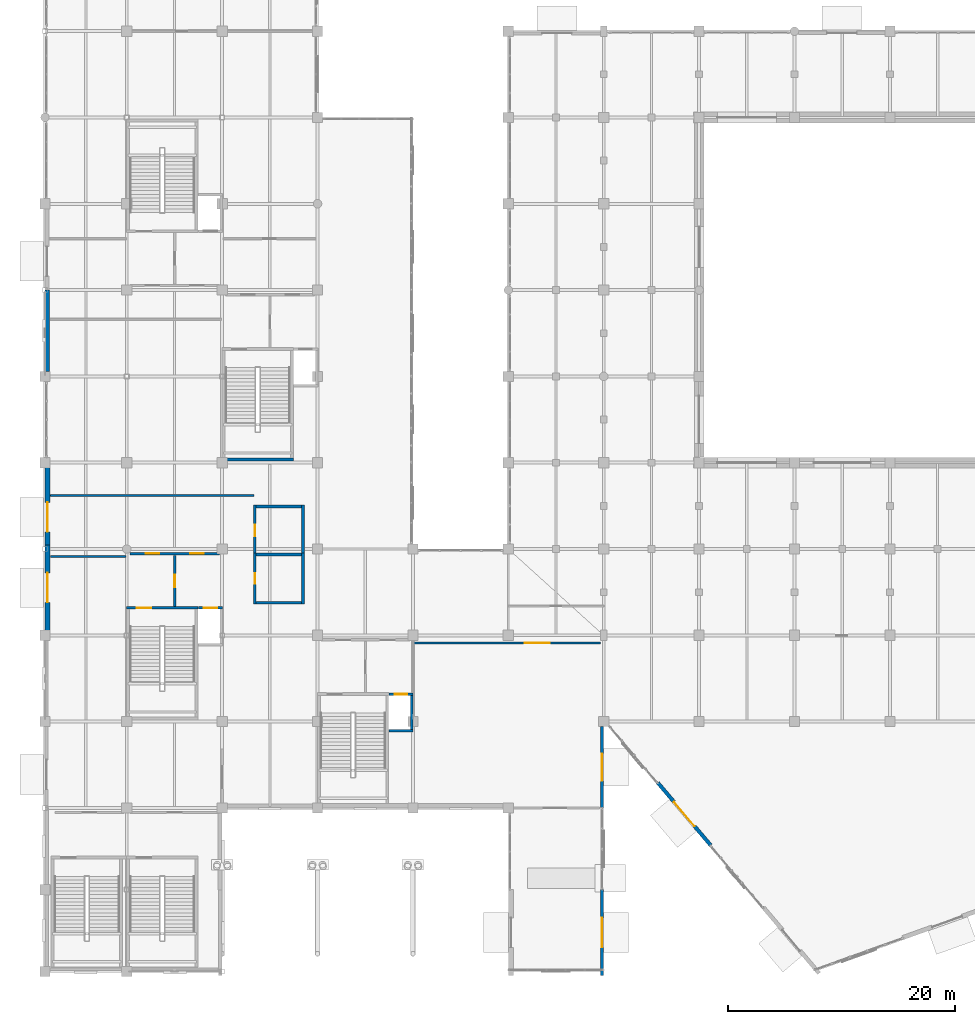
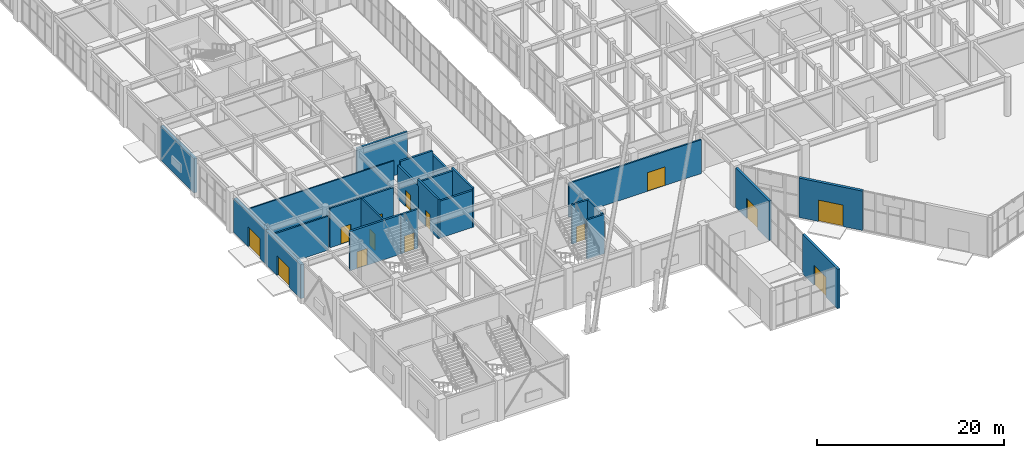
# One storey, part 119 of 139: 24 walls, 14 doors, 14 openings.
"""IFC4 building model written with IfcOpenShell, lengths in metres."""

from ifc_helpers import new_model, si_unit, direction, frame, frame_2d, origin, place, context, subcontext, project, spatial, rectangle, extrude, material, layer, layer_set, type_object, element, fill, save


model = new_model("IFC4")

# Units and contexts
model_context = context("Model", 3, precision=1e-05, world=origin(), true_north=direction((0.0, 1.0)))
body_context = subcontext(model_context, "Body", "Model", "MODEL_VIEW")
ifc_project = project(units=[si_unit("LENGTHUNIT", "METRE"), si_unit("AREAUNIT", "SQUARE_METRE"), si_unit("VOLUMEUNIT", "CUBIC_METRE"), si_unit("PLANEANGLEUNIT", "RADIAN"), si_unit("MASSUNIT", "GRAM", prefix="KILO")], contexts=[model_context])

# Site, building, storey
site_placement = place(None, origin())
site = spatial("IfcSite", under=ifc_project, at=site_placement, CompositionType="ELEMENT")
building_placement = place(site_placement, origin())
building = spatial("IfcBuilding", under=site, at=building_placement, Name="Xicomal Pleat Aquarium", CompositionType="ELEMENT")
storey_placement = place(building_placement, origin())
storey = spatial("IfcBuildingStorey", under=building, at=storey_placement, Name="L01", CompositionType="ELEMENT", Elevation=0.0)

# Wall, opening, door
ifc_material_1 = material(Name="Concrete C40/50", Category="concrete")
ifc_layer_1 = layer(ifc_material_1, 0.219970703125)
ifc_layer_set_1 = layer_set([ifc_layer_1], Name="Concrete C40/50")
wall_type_1 = type_object("IfcWallType", Name="WAL-COR-220", PredefinedType="SHEAR", material=ifc_layer_set_1)
wall_1_placement = place(storey_placement, frame((16.5, 32.81005859375, 0.0), z_axis=(0.0, 0.0, 1.0), x_axis=(1.0, 0.0, 0.0)))
wall_1 = element("IfcWall", 1, at=wall_1_placement, inside=storey, type_object=wall_type_1, Name="L01 LF-01 lift shaft wall CW-L01-C1-LN", PredefinedType="SHEAR", context=body_context, shape_type="SweptSolid", body=[
    extrude(rectangle(XDim=2.1201171875, YDim=0.219970703125, at=frame_2d((1.06005859375, 0.0))), origin(), (0.0, 0.0, 1.0), 5.139892578125),
])
opening_1_placement = place(wall_1_placement, frame((0.4599609375, 0.0, 0.0)))
opening_1 = element("IfcOpeningElement", 2, at=opening_1_placement, cuts=wall_1, Name="Opening LD-01-L01", PredefinedType="OPENING", context=body_context, shape_type="SweptSolid", body=[
    extrude(rectangle(XDim=1.199951171875, YDim=2.199951171875, at=frame_2d((0.60009765625, 1.10009765625))), frame((0.0, 0.119873046875, 0.0), z_axis=(0.0, -1.0, 0.0), x_axis=(1.0, 0.0, 0.0)), (0.0, 0.0, 1.0), 0.239990234375),
])
ifc_material_2 = material(Name="Brushed stainless steel 304", Category="steel")
door_type_1 = type_object("IfcDoorType", Name="DOR-LD-1200x2200", OperationType="DOUBLE_DOOR_SLIDING", PredefinedType="DOOR", material=ifc_material_2)
door_1_placement = place(opening_1_placement, origin())
door_1 = element("IfcDoor", 3, at=door_1_placement, inside=storey, type_object=door_type_1, Name="L01 LF-01 sliding lift landing door", OperationType="DOUBLE_DOOR_SLIDING", OverallHeight=2.199951171875, OverallWidth=1.199951171875, PredefinedType="DOOR", context=body_context, shape_type="SweptSolid", body=[
    extrude(rectangle(XDim=1.199951171875, YDim=2.199951171875, at=frame_2d((0.60009765625, 1.10009765625))), frame((0.0, 0.02490234375, 0.0), z_axis=(0.0, -1.0, 0.0), x_axis=(1.0, 0.0, 0.0)), (0.0, 0.0, 1.0), 0.050048828125),
])
fill(opening_1, door_1)

# Wall
wall_2_placement = place(storey_placement, frame((33.300048828125, 21.989990234375, 0.0), z_axis=(0.0, 0.0, 1.0), x_axis=(1.0, 0.0, 0.0)))
element("IfcWall", 4, at=wall_2_placement, inside=storey, type_object=wall_type_1, Name="L01 LF-02 lift shaft wall CW-L01-C2-LS", PredefinedType="SHEAR", context=body_context, shape_type="SweptSolid", body=[
    extrude(rectangle(XDim=2.119873046875, YDim=0.219970703125, at=frame_2d((1.06005859375, 0.0))), origin(), (0.0, 0.0, 1.0), 5.139892578125),
])

# Wall, opening, door
wall_3_placement = place(storey_placement, frame((33.300048828125, 25.2099609375, 0.0), z_axis=(0.0, 0.0, 1.0), x_axis=(1.0, 0.0, 0.0)))
wall_3 = element("IfcWall", 5, at=wall_3_placement, inside=storey, type_object=wall_type_1, Name="L01 LF-02 lift shaft wall CW-L01-C2-LN", PredefinedType="SHEAR", context=body_context, shape_type="SweptSolid", body=[
    extrude(rectangle(XDim=2.119873046875, YDim=0.219970703125, at=frame_2d((1.06005859375, 0.0))), origin(), (0.0, 0.0, 1.0), 5.139892578125),
])
opening_2_placement = place(wall_3_placement, frame((0.510009765625, 0.0, 0.0)))
opening_2 = element("IfcOpeningElement", 6, at=opening_2_placement, cuts=wall_3, Name="Opening LD-02-L01", PredefinedType="OPENING", context=body_context, shape_type="SweptSolid", body=[
    extrude(rectangle(XDim=1.10009765625, YDim=2.14990234375, at=frame_2d((0.550048828125, 1.074951171875))), frame((0.0, 0.119873046875, 0.0), z_axis=(0.0, -1.0, 0.0), x_axis=(1.0, 0.0, 0.0)), (0.0, 0.0, 1.0), 0.239990234375),
])
ifc_material_3 = material(Name="Brushed stainless steel 304", Category="steel")
door_type_2 = type_object("IfcDoorType", Name="DOR-LD-1100x2150", OperationType="DOUBLE_DOOR_SLIDING", PredefinedType="DOOR", material=ifc_material_3)
door_2_placement = place(opening_2_placement, origin())
door_2 = element("IfcDoor", 7, at=door_2_placement, inside=storey, type_object=door_type_2, Name="L01 LF-02 sliding lift landing door", OperationType="DOUBLE_DOOR_SLIDING", OverallHeight=2.14990234375, OverallWidth=1.10009765625, PredefinedType="DOOR", context=body_context, shape_type="SweptSolid", body=[
    extrude(rectangle(XDim=1.10009765625, YDim=2.14990234375, at=frame_2d((0.550048828125, 1.074951171875))), frame((0.0, 0.02490234375, 0.0), z_axis=(0.0, -1.0, 0.0), x_axis=(1.0, 0.0, 0.0)), (0.0, 0.0, 1.0), 0.050048828125),
])
fill(opening_2, door_2)

# Wall
wall_4_placement = place(storey_placement, frame((35.31005859375, 22.10009765625, 0.0), z_axis=(0.0, 0.0, 1.0), x_axis=(0.0, 1.0, 0.0)))
element("IfcWall", 8, at=wall_4_placement, inside=storey, type_object=wall_type_1, Name="L01 LF-02 lift shaft wall CW-L01-C2-LE", PredefinedType="SHEAR", context=body_context, shape_type="SweptSolid", body=[
    extrude(rectangle(XDim=3.0, YDim=0.219970703125, at=frame_2d((1.5, 0.0))), origin(), (0.0, 0.0, 1.0), 5.139892578125),
])

# Wall, opening, door
ifc_material_4 = material(Name="Concrete C40/50", Category="concrete")
ifc_layer_2 = layer(ifc_material_4, 0.25)
ifc_layer_set_2 = layer_set([ifc_layer_2], Name="Concrete C40/50")
wall_type_2 = type_object("IfcWallType", Name="WAL-COR-250", PredefinedType="SHEAR", material=ifc_layer_set_2)
wall_5_placement = place(storey_placement, frame((10.18994140625, 32.824951171875, 0.0), z_axis=(0.0, 0.0, 1.0), x_axis=(1.0, 0.0, 0.0)))
wall_5 = element("IfcWall", 9, at=wall_5_placement, inside=storey, type_object=wall_type_2, Name="L01 CORE-1 stair shear wall CW-L01-C1-SN", PredefinedType="SHEAR", context=body_context, shape_type="SweptSolid", body=[
    extrude(rectangle(XDim=6.280029296875, YDim=0.25, at=frame_2d((3.14013671875, 0.0))), origin(), (0.0, 0.0, 1.0), 5.139892578125),
])
opening_3_placement = place(wall_5_placement, frame((0.89990234375, 0.0, 0.0)))
opening_3 = element("IfcOpeningElement", 10, at=opening_3_placement, cuts=wall_5, Name="Opening SD-01-L01", PredefinedType="OPENING", context=body_context, shape_type="SweptSolid", body=[
    extrude(rectangle(XDim=1.25, YDim=2.199951171875, at=frame_2d((0.625, 1.10009765625))), frame((0.0, 0.135009765625, 0.0), z_axis=(0.0, -1.0, 0.0), x_axis=(1.0, 0.0, 0.0)), (0.0, 0.0, 1.0), 0.27001953125),
])
ifc_material_5 = material(Name="Powder-coated steel fire door", Category="steel")
door_type_3 = type_object("IfcDoorType", Name="DOR-ST-1250x2200", OperationType="NOTDEFINED", PredefinedType="DOOR", material=ifc_material_5)
door_3_placement = place(opening_3_placement, origin())
door_3 = element("IfcDoor", 11, at=door_3_placement, inside=storey, type_object=door_type_3, Name="L01 ST-01 protected stair door", OperationType="SINGLE_SWING_RIGHT", OverallHeight=2.199951171875, OverallWidth=1.25, PredefinedType="DOOR", context=body_context, shape_type="SweptSolid", body=[
    extrude(rectangle(XDim=1.25, YDim=2.199951171875, at=frame_2d((0.625, 1.10009765625))), frame((0.0, 0.02490234375, 0.0), z_axis=(0.0, -1.0, 0.0), x_axis=(1.0, 0.0, 0.0)), (0.0, 0.0, 1.0), 0.050048828125),
])
fill(opening_3, door_3)

# Walls
wall_6_placement = place(storey_placement, frame((18.590087890625, 45.875, 0.0), z_axis=(0.0, 0.0, 1.0), x_axis=(1.0, 0.0, 0.0)))
element("IfcWall", 12, at=wall_6_placement, inside=storey, type_object=wall_type_2, Name="L01 CORE-4 stair shear wall CW-L01-C4-SS", PredefinedType="SHEAR", context=body_context, shape_type="SweptSolid", body=[
    extrude(rectangle(XDim=6.280029296875, YDim=0.25, at=frame_2d((3.14013671875, 0.0))), origin(), (0.0, 0.0, 1.0), 5.159912109375),
])
ifc_material_6 = material(Name="Volcanic basalt recinto masonry and concrete C40/50", Category="masonry")
ifc_layer_3 = layer(ifc_material_6, 0.3798828125)
ifc_layer_set_3 = layer_set([ifc_layer_3], Name="Volcanic basalt recinto masonry and concrete C40/50")
wall_type_3 = type_object("IfcWallType", Name="WAL-EXT-BAS-380", PredefinedType="SOLIDWALL", material=ifc_layer_set_3)
wall_7_placement = place(storey_placement, frame((3.18994140625, 53.635009765625, 0.0), z_axis=(0.0, 0.0, 1.0), x_axis=(0.0, 1.0, 0.0)))
element("IfcWall", 13, at=wall_7_placement, inside=storey, type_object=wall_type_3, Name="L01 exterior basalt-precast wall EW-L01-028", PredefinedType="SOLIDWALL", context=body_context, shape_type="SweptSolid", body=[
    extrude(rectangle(XDim=7.18505859375, YDim=0.3798828125, at=frame_2d((3.592529296875, 0.0))), origin(), (0.0, 0.0, 1.0), 4.4619140625),
])

# Wall, opening, door
ifc_material_7 = material(Name="Volcanic basalt recinto masonry and concrete C40/50", Category="masonry")
ifc_layer_4 = layer(ifc_material_7, 0.419921875)
ifc_layer_set_4 = layer_set([ifc_layer_4], Name="Volcanic basalt recinto masonry and concrete C40/50")
wall_type_4 = type_object("IfcWallType", Name="WAL-EXT-BAS-420", PredefinedType="SOLIDWALL", material=ifc_layer_set_4)
wall_8_placement = place(storey_placement, frame((3.2099609375, 38.360107421875, 0.0), z_axis=(0.0, 0.0, 1.0), x_axis=(0.0, 1.0, 0.0)))
wall_8 = element("IfcWall", 14, at=wall_8_placement, inside=storey, type_object=wall_type_4, Name="L01 exterior basalt-precast wall EW-L01-026", PredefinedType="SOLIDWALL", context=body_context, shape_type="SweptSolid", body=[
    extrude(rectangle(XDim=6.804931640625, YDim=0.419921875, at=frame_2d((3.40234375, 0.0))), origin(), (0.0, 0.0, 1.0), 4.4619140625),
])
opening_4_placement = place(wall_8_placement, frame((1.14501953125, 0.0, 0.0)))
opening_4 = element("IfcOpeningElement", 15, at=opening_4_placement, cuts=wall_8, Name="Opening EX-03", PredefinedType="OPENING", context=body_context, shape_type="SweptSolid", body=[
    extrude(rectangle(XDim=2.60009765625, YDim=2.60009765625, at=frame_2d((1.300048828125, 1.300048828125))), frame((0.0, 0.219970703125, 0.0), z_axis=(0.0, -1.0, 0.0), x_axis=(1.0, 0.0, 0.0)), (0.0, 0.0, 1.0), 0.43994140625),
])
ifc_material_8 = material(Name="Bronze anodized aluminium and laminated safety glass", Category="aluminium")
door_type_4 = type_object("IfcDoorType", Name="DOR-EX-2600x2600", OperationType="DOUBLE_DOOR_SINGLE_SWING", PredefinedType="DOOR", material=ifc_material_8)
door_4_placement = place(opening_4_placement, origin())
door_4 = element("IfcDoor", 16, at=door_4_placement, inside=storey, type_object=door_type_4, Name="Ground floor pedestrian final exit door EX-03", OperationType="DOUBLE_DOOR_SINGLE_SWING", OverallHeight=2.60009765625, OverallWidth=2.60009765625, PredefinedType="DOOR", context=body_context, shape_type="SweptSolid", body=[
    extrude(rectangle(XDim=2.60009765625, YDim=2.60009765625, at=frame_2d((1.300048828125, 1.300048828125))), frame((0.0, 0.02490234375, 0.0), z_axis=(0.0, -1.0, 0.0), x_axis=(1.0, 0.0, 0.0)), (0.0, 0.0, 1.0), 0.050048828125),
])
fill(opening_4, door_4)

ifc_material_9 = material(Name="Volcanic basalt recinto masonry and concrete C40/50", Category="masonry")
ifc_layer_5 = layer(ifc_material_9, 0.445068359375)
ifc_layer_set_5 = layer_set([ifc_layer_5], Name="Volcanic basalt recinto masonry and concrete C40/50")
wall_type_5 = type_object("IfcWallType", Name="WAL-EXT-BAS-445", PredefinedType="SOLIDWALL", material=ifc_layer_set_5)
wall_9_placement = place(storey_placement, frame((3.222900390625, 30.8349609375, 0.0), z_axis=(0.0, 0.0, 1.0), x_axis=(0.0, 1.0, 0.0)))
wall_9 = element("IfcWall", 17, at=wall_9_placement, inside=storey, type_object=wall_type_5, Name="L01 exterior basalt-precast wall EW-L01-025", PredefinedType="SOLIDWALL", context=body_context, shape_type="SweptSolid", body=[
    extrude(rectangle(XDim=7.525146484375, YDim=0.445068359375, at=frame_2d((3.7626953125, 0.0))), origin(), (0.0, 0.0, 1.0), 4.44189453125),
])
opening_5_placement = place(wall_9_placement, frame((2.4619140625, 0.0, 0.0)))
opening_5 = element("IfcOpeningElement", 18, at=opening_5_placement, cuts=wall_9, Name="Opening EX-11", PredefinedType="OPENING", context=body_context, shape_type="SweptSolid", body=[
    extrude(rectangle(XDim=2.60009765625, YDim=2.60009765625, at=frame_2d((1.300048828125, 1.300048828125))), frame((0.0, 0.232421875, 0.0), z_axis=(0.0, -1.0, 0.0), x_axis=(1.0, 0.0, 0.0)), (0.0, 0.0, 1.0), 0.465087890625),
])
door_5_placement = place(opening_5_placement, origin())
door_5 = element("IfcDoor", 19, at=door_5_placement, inside=storey, type_object=door_type_4, Name="Ground floor pedestrian final exit door EX-11", OperationType="DOUBLE_DOOR_SINGLE_SWING", OverallHeight=2.60009765625, OverallWidth=2.60009765625, PredefinedType="DOOR", context=body_context, shape_type="SweptSolid", body=[
    extrude(rectangle(XDim=2.60009765625, YDim=2.60009765625, at=frame_2d((1.300048828125, 1.300048828125))), frame((0.0, 0.02490234375, 0.0), z_axis=(0.0, -1.0, 0.0), x_axis=(1.0, 0.0, 0.0)), (0.0, 0.0, 1.0), 0.050048828125),
])
fill(opening_5, door_5)

ifc_material_10 = material(Name="Precast concrete C40/50", Category="concrete")
ifc_layer_6 = layer(ifc_material_10, 0.280029296875)
ifc_layer_set_6 = layer_set([ifc_layer_6], Name="Precast concrete C40/50")
wall_type_6 = type_object("IfcWallType", Name="WAL-EXT-PRC-280", PredefinedType="SOLIDWALL", material=ifc_layer_set_6)
wall_10_placement = place(storey_placement, frame((52.06005859375, 8.02001953125, 0.0), z_axis=(0.0, 0.0, 1.0), x_axis=(0.0, -1.0, 0.0)))
wall_10 = element("IfcWall", 20, at=wall_10_placement, inside=storey, type_object=wall_type_6, Name="L01 exterior basalt-precast wall EW-L01-010", PredefinedType="SOLIDWALL", context=body_context, shape_type="SweptSolid", body=[
    extrude(rectangle(XDim=7.580078125, YDim=0.280029296875, at=frame_2d((3.7900390625, 0.0))), origin(), (0.0, 0.0, 1.0), 5.159912109375),
])
opening_6_placement = place(wall_10_placement, frame((2.489990234375, 0.0, 0.0)))
opening_6 = element("IfcOpeningElement", 21, at=opening_6_placement, cuts=wall_10, Name="Opening EX-21", PredefinedType="OPENING", context=body_context, shape_type="SweptSolid", body=[
    extrude(rectangle(XDim=2.60009765625, YDim=2.60009765625, at=frame_2d((1.300048828125, 1.300048828125))), frame((0.0, 0.14990234375, 0.0), z_axis=(0.0, -1.0, 0.0), x_axis=(1.0, 0.0, 0.0)), (0.0, 0.0, 1.0), 0.300048828125),
])
door_6_placement = place(opening_6_placement, origin())
door_6 = element("IfcDoor", 22, at=door_6_placement, inside=storey, type_object=door_type_4, Name="Ground floor pedestrian final exit door EX-21", OperationType="DOUBLE_DOOR_SINGLE_SWING", OverallHeight=2.60009765625, OverallWidth=2.60009765625, PredefinedType="DOOR", context=body_context, shape_type="SweptSolid", body=[
    extrude(rectangle(XDim=2.60009765625, YDim=2.60009765625, at=frame_2d((1.300048828125, 1.300048828125))), frame((0.0, 0.02490234375, 0.0), z_axis=(0.0, -1.0, 0.0), x_axis=(1.0, 0.0, 0.0)), (0.0, 0.0, 1.0), 0.050048828125),
])
fill(opening_6, door_6)

ifc_material_11 = material(Name="Precast concrete C40/50", Category="concrete")
ifc_layer_7 = layer(ifc_material_11, 0.300048828125)
ifc_layer_set_7 = layer_set([ifc_layer_7], Name="Precast concrete C40/50")
wall_type_7 = type_object("IfcWallType", Name="WAL-EXT-PRC-300", PredefinedType="SOLIDWALL", material=ifc_layer_set_7)
wall_11_placement = place(storey_placement, frame((52.050048828125, 22.364990234375, 0.0), z_axis=(0.0, 0.0, 1.0), x_axis=(0.0, -1.0, 0.0)))
wall_11 = element("IfcWall", 23, at=wall_11_placement, inside=storey, type_object=wall_type_7, Name="L01 exterior basalt-precast wall EW-L01-008", PredefinedType="SOLIDWALL", context=body_context, shape_type="SweptSolid", body=[
    extrude(rectangle(XDim=7.18505859375, YDim=0.300048828125, at=frame_2d((3.592529296875, 0.0))), origin(), (0.0, 0.0, 1.0), 5.159912109375),
])
opening_7_placement = place(wall_11_placement, frame((2.39208984375, 0.0, 0.0)))
opening_7 = element("IfcOpeningElement", 24, at=opening_7_placement, cuts=wall_11, Name="Opening DG-06", PredefinedType="OPENING", context=body_context, shape_type="SweptSolid", body=[
    extrude(rectangle(XDim=2.39990234375, YDim=2.60009765625, at=frame_2d((1.199951171875, 1.300048828125))), frame((0.0, 0.159912109375, 0.0), z_axis=(0.0, -1.0, 0.0), x_axis=(1.0, 0.0, 0.0)), (0.0, 0.0, 1.0), 0.320068359375),
])
ifc_material_12 = material(Name="Galvanized powder-coated steel", Category="steel")
door_type_5 = type_object("IfcDoorType", Name="DOR-GAT-2400x2600", OperationType="DOUBLE_DOOR_SINGLE_SWING", PredefinedType="GATE", material=ifc_material_12)
door_7_placement = place(opening_7_placement, origin())
door_7 = element("IfcDoor", 25, at=door_7_placement, inside=storey, type_object=door_type_5, Name="Court biosecurity service gate DG-06", OperationType="DOUBLE_DOOR_SINGLE_SWING", OverallHeight=2.60009765625, OverallWidth=2.39990234375, PredefinedType="GATE", context=body_context, shape_type="SweptSolid", body=[
    extrude(rectangle(XDim=2.39990234375, YDim=2.60009765625, at=frame_2d((1.199951171875, 1.300048828125))), frame((0.0, 0.02490234375, 0.0), z_axis=(0.0, -1.0, 0.0), x_axis=(1.0, 0.0, 0.0)), (0.0, 0.0, 1.0), 0.050048828125),
])
fill(opening_7, door_7)

ifc_material_13 = material(Name="Precast concrete C40/50", Category="concrete")
ifc_layer_8 = layer(ifc_material_13, 0.324951171875)
ifc_layer_set_8 = layer_set([ifc_layer_8], Name="Precast concrete C40/50")
wall_type_8 = type_object("IfcWallType", Name="WAL-EXT-PRC-325", PredefinedType="SOLIDWALL", material=ifc_layer_set_8)
wall_12_placement = place(storey_placement, frame((61.636962890625, 11.889892578125, 0.0), z_axis=(0.0, 0.0, 1.0), x_axis=(-0.645682274351, 0.763606181607, 0.0)))
wall_12 = element("IfcWall", 26, at=wall_12_placement, inside=storey, type_object=wall_type_8, Name="L01 exterior basalt-precast wall EW-L01-006", PredefinedType="SOLIDWALL", context=body_context, shape_type="SweptSolid", body=[
    extrude(rectangle(XDim=7.241943359375, YDim=0.324951171875, at=frame_2d((3.62109375, 0.0))), origin(), (0.0, 0.0, 1.0), 5.159912109375),
])
opening_8_placement = place(wall_12_placement, frame((2.220947265625, 0.0, 0.0)))
opening_8 = element("IfcOpeningElement", 27, at=opening_8_placement, cuts=wall_12, Name="Opening DG-05", PredefinedType="OPENING", context=body_context, shape_type="SweptSolid", body=[
    extrude(rectangle(XDim=2.800048828125, YDim=2.800048828125, at=frame_2d((1.39990234375, 1.39990234375))), frame((0.0, 0.17236328125, 0.0), z_axis=(0.0, -1.0, 0.0), x_axis=(1.0, 0.0, 0.0)), (0.0, 0.0, 1.0), 0.344970703125),
])
ifc_material_14 = material(Name="Galvanized powder-coated steel", Category="steel")
door_type_6 = type_object("IfcDoorType", Name="DOR-GAT-2800x2800", OperationType="DOUBLE_DOOR_SINGLE_SWING", PredefinedType="GATE", material=ifc_material_14)
door_8_placement = place(opening_8_placement, origin())
door_8 = element("IfcDoor", 28, at=door_8_placement, inside=storey, type_object=door_type_6, Name="Court biosecurity service gate DG-05", OperationType="DOUBLE_DOOR_SINGLE_SWING", OverallHeight=2.800048828125, OverallWidth=2.800048828125, PredefinedType="GATE", context=body_context, shape_type="SweptSolid", body=[
    extrude(rectangle(XDim=2.800048828125, YDim=2.800048828125, at=frame_2d((1.39990234375, 1.39990234375))), frame((0.0, 0.02490234375, 0.0), z_axis=(0.0, -1.0, 0.0), x_axis=(1.0, 0.0, 0.0)), (0.0, 0.0, 1.0), 0.050048828125),
])
fill(opening_8, door_8)

ifc_material_15 = material(Name="Water-resistant cement-board wet-lab partition", Category="gypsum")
ifc_layer_9 = layer(ifc_material_15, 0.22998046875)
ifc_layer_set_9 = layer_set([ifc_layer_9], Name="Water-resistant cement-board wet-lab partition")
wall_type_9 = type_object("IfcWallType", Name="WAL-PLB-230", PredefinedType="PLUMBINGWALL", material=ifc_layer_set_9)
wall_13_placement = place(storey_placement, frame((21.485107421875, 33.169921875, 0.0), z_axis=(0.0, 0.0, 1.0), x_axis=(0.0, 1.0, 0.0)))
wall_13 = element("IfcWall", 29, at=wall_13_placement, inside=storey, type_object=wall_type_9, Name="L01 enclosed toilet partition PT-L01-013", PredefinedType="PLUMBINGWALL", context=body_context, shape_type="SweptSolid", body=[
    extrude(rectangle(XDim=4.4599609375, YDim=0.22998046875, at=frame_2d((2.22998046875, 0.0))), origin(), (0.0, 0.0, 1.0), 5.139892578125),
])
opening_9_placement = place(wall_13_placement, frame((1.7548828125, 0.0, 0.0)))
opening_9 = element("IfcOpeningElement", 30, at=opening_9_placement, cuts=wall_13, Name="Opening DR-L01-007", PredefinedType="OPENING", context=body_context, shape_type="SweptSolid", body=[
    extrude(rectangle(XDim=0.949951171875, YDim=2.10009765625, at=frame_2d((0.47509765625, 1.050048828125))), frame((0.0, 0.125, 0.0), z_axis=(0.0, -1.0, 0.0), x_axis=(1.0, 0.0, 0.0)), (0.0, 0.0, 1.0), 0.25),
])
ifc_material_16 = material(Name="Solid-core hardwood and anodized aluminium frame", Category="wood")
door_type_7 = type_object("IfcDoorType", Name="DOR-WC-0950x2100", OperationType="NOTDEFINED", PredefinedType="DOOR", material=ifc_material_16)
door_9_placement = place(opening_9_placement, origin())
door_9 = element("IfcDoor", 31, at=door_9_placement, inside=storey, type_object=door_type_7, Name="L01 Public Toilet door DR-L01-007", OperationType="SINGLE_SWING_RIGHT", OverallHeight=2.10009765625, OverallWidth=0.949951171875, PredefinedType="DOOR", context=body_context, shape_type="SweptSolid", body=[
    extrude(rectangle(XDim=0.949951171875, YDim=2.10009765625, at=frame_2d((0.47509765625, 1.050048828125))), frame((0.0, 0.02490234375, 0.0), z_axis=(0.0, -1.0, 0.0), x_axis=(1.0, 0.0, 0.0)), (0.0, 0.0, 1.0), 0.050048828125),
])
fill(opening_9, door_9)

# Walls
wall_14_placement = place(storey_placement, frame((25.715087890625, 33.169921875, 0.0), z_axis=(0.0, 0.0, 1.0), x_axis=(0.0, 1.0, 0.0)))
element("IfcWall", 32, at=wall_14_placement, inside=storey, type_object=wall_type_9, Name="L01 enclosed toilet partition PT-L01-014", PredefinedType="PLUMBINGWALL", context=body_context, shape_type="SweptSolid", body=[
    extrude(rectangle(XDim=4.4599609375, YDim=0.22998046875, at=frame_2d((2.22998046875, 0.0))), origin(), (0.0, 0.0, 1.0), 5.139892578125),
])
for number, where, z_axis, x_axis, name in (
    (33, (21.60009765625, 33.284912109375, 0.0), (0.0, 0.0, 1.0), (1.0, 0.0, 0.0), "L01 enclosed toilet partition PT-L01-015"),
    (34, (21.60009765625, 37.514892578125, 0.0), (0.0, 0.0, 1.0), (1.0, 0.0, 0.0), "L01 enclosed toilet partition PT-L01-016"),
):
    element("IfcWall", number, at=place(storey_placement, frame(where, z_axis=z_axis, x_axis=x_axis)), inside=storey, type_object=wall_type_9, Name=name, PredefinedType="PLUMBINGWALL", context=body_context, shape_type="SweptSolid", body=[
        extrude(rectangle(XDim=4.0, YDim=0.22998046875, at=frame_2d((2.0, 0.0))), origin(), (0.0, 0.0, 1.0), 4.83203125),
    ])

# Wall, opening, door
wall_15_placement = place(storey_placement, frame((21.485107421875, 37.39990234375, 0.0), z_axis=(0.0, 0.0, 1.0), x_axis=(0.0, 1.0, 0.0)))
wall_15 = element("IfcWall", 35, at=wall_15_placement, inside=storey, type_object=wall_type_9, Name="L01 enclosed toilet partition PT-L01-017", PredefinedType="PLUMBINGWALL", context=body_context, shape_type="SweptSolid", body=[
    extrude(rectangle(XDim=4.460205078125, YDim=0.22998046875, at=frame_2d((2.22998046875, 0.0))), origin(), (0.0, 0.0, 1.0), 4.364990234375),
])
opening_10_placement = place(wall_15_placement, frame((1.705078125, 0.0, 0.0)))
opening_10 = element("IfcOpeningElement", 36, at=opening_10_placement, cuts=wall_15, Name="Opening DR-L01-008", PredefinedType="OPENING", context=body_context, shape_type="SweptSolid", body=[
    extrude(rectangle(XDim=1.050048828125, YDim=2.10009765625, at=frame_2d((0.52490234375, 1.050048828125))), frame((0.0, 0.125, 0.0), z_axis=(0.0, -1.0, 0.0), x_axis=(1.0, 0.0, 0.0)), (0.0, 0.0, 1.0), 0.25),
])
ifc_material_17 = material(Name="Solid-core hardwood and anodized aluminium frame", Category="wood")
door_type_8 = type_object("IfcDoorType", Name="DOR-AWC-1050x2100", OperationType="NOTDEFINED", PredefinedType="DOOR", material=ifc_material_17)
door_10_placement = place(opening_10_placement, origin())
door_10 = element("IfcDoor", 37, at=door_10_placement, inside=storey, type_object=door_type_8, Name="L01 Accessible Toilet door DR-L01-008", OperationType="SINGLE_SWING_LEFT", OverallHeight=2.10009765625, OverallWidth=1.050048828125, PredefinedType="DOOR", context=body_context, shape_type="SweptSolid", body=[
    extrude(rectangle(XDim=1.050048828125, YDim=2.10009765625, at=frame_2d((0.52490234375, 1.050048828125))), frame((0.0, 0.02490234375, 0.0), z_axis=(0.0, -1.0, 0.0), x_axis=(1.0, 0.0, 0.0)), (0.0, 0.0, 1.0), 0.050048828125),
])
fill(opening_10, door_10)

# Walls
wall_16_placement = place(storey_placement, frame((25.715087890625, 37.39990234375, 0.0), z_axis=(0.0, 0.0, 1.0), x_axis=(0.0, 1.0, 0.0)))
element("IfcWall", 38, at=wall_16_placement, inside=storey, type_object=wall_type_9, Name="L01 enclosed toilet partition PT-L01-018", PredefinedType="PLUMBINGWALL", context=body_context, shape_type="SweptSolid", body=[
    extrude(rectangle(XDim=4.460205078125, YDim=0.22998046875, at=frame_2d((2.22998046875, 0.0))), origin(), (0.0, 0.0, 1.0), 4.364990234375),
])
wall_17_placement = place(storey_placement, frame((21.60009765625, 41.7451171875, 0.0), z_axis=(0.0, 0.0, 1.0), x_axis=(1.0, 0.0, 0.0)))
element("IfcWall", 39, at=wall_17_placement, inside=storey, type_object=wall_type_9, Name="L01 enclosed toilet partition PT-L01-019", PredefinedType="PLUMBINGWALL", context=body_context, shape_type="SweptSolid", body=[
    extrude(rectangle(XDim=4.0, YDim=0.22998046875, at=frame_2d((2.0, 0.0))), origin(), (0.0, 0.0, 1.0), 4.907958984375),
])
ifc_material_18 = material(Name="Water-resistant cement-board wet-lab partition", Category="gypsum")
ifc_layer_10 = layer(ifc_material_18, 0.157958984375)
ifc_layer_set_10 = layer_set([ifc_layer_10], Name="Water-resistant cement-board wet-lab partition")
wall_type_10 = type_object("IfcWallType", Name="WAL-PRT-158", PredefinedType="PARTITIONING", material=ifc_layer_set_10)
wall_18_placement = place(storey_placement, frame((3.47998046875, 42.719970703125, 0.0), z_axis=(0.0, 0.0, 1.0), x_axis=(1.0, 0.0, 0.0)))
element("IfcWall", 40, at=wall_18_placement, inside=storey, type_object=wall_type_10, Name="L01 interior partition PT-L01-026", PredefinedType="PARTITIONING", context=body_context, shape_type="SweptSolid", body=[
    extrude(rectangle(XDim=17.919921875, YDim=0.157958984375, at=frame_2d((8.9599609375, 0.0))), origin(), (0.0, 0.0, 1.0), 4.4619140625),
])

# Wall, opening, door
ifc_material_19 = material(Name="Acoustic double-stud drywall partition", Category="gypsum")
ifc_layer_11 = layer(ifc_material_19, 0.18798828125)
ifc_layer_set_11 = layer_set([ifc_layer_11], Name="Acoustic double-stud drywall partition")
wall_type_11 = type_object("IfcWallType", Name="WAL-PRT-188", PredefinedType="PARTITIONING", material=ifc_layer_set_11)
wall_19_placement = place(storey_placement, frame((51.89990234375, 29.72998046875, 0.0), z_axis=(0.0, 0.0, 1.0), x_axis=(-1.0, 0.0, 0.0)))
wall_19 = element("IfcWall", 41, at=wall_19_placement, inside=storey, type_object=wall_type_11, Name="L01 interior partition PT-L01-022", PredefinedType="PARTITIONING", context=body_context, shape_type="SweptSolid", body=[
    extrude(rectangle(XDim=16.389892578125, YDim=0.18798828125, at=frame_2d((8.19482421875, 0.0))), origin(), (0.0, 0.0, 1.0), 4.44189453125),
])
opening_11_placement = place(wall_19_placement, frame((4.472900390625, 0.0, 0.0)))
opening_11 = element("IfcOpeningElement", 42, at=opening_11_placement, cuts=wall_19, Name="Opening DR-L01-010", PredefinedType="OPENING", context=body_context, shape_type="SweptSolid", body=[
    extrude(rectangle(XDim=2.199951171875, YDim=2.449951171875, at=frame_2d((1.10009765625, 1.22509765625))), frame((0.0, 0.10400390625, 0.0), z_axis=(0.0, -1.0, 0.0), x_axis=(1.0, 0.0, 0.0)), (0.0, 0.0, 1.0), 0.2080078125),
])
ifc_material_20 = material(Name="Solid-core hardwood and anodized aluminium frame", Category="wood")
door_type_9 = type_object("IfcDoorType", Name="DOR-GAL-2200x2450", OperationType="DOUBLE_DOOR_SINGLE_SWING", PredefinedType="DOOR", material=ifc_material_20)
door_11_placement = place(opening_11_placement, origin())
door_11 = element("IfcDoor", 43, at=door_11_placement, inside=storey, type_object=door_type_9, Name="L01 Aquarium Cafe and Highland Terrace Dining door DR-L01-010", OperationType="DOUBLE_DOOR_SINGLE_SWING", OverallHeight=2.449951171875, OverallWidth=2.199951171875, PredefinedType="DOOR", context=body_context, shape_type="SweptSolid", body=[
    extrude(rectangle(XDim=2.199951171875, YDim=2.449951171875, at=frame_2d((1.10009765625, 1.22509765625))), frame((0.0, 0.02490234375, 0.0), z_axis=(0.0, -1.0, 0.0), x_axis=(1.0, 0.0, 0.0)), (0.0, 0.0, 1.0), 0.050048828125),
])
fill(opening_11, door_11)

ifc_material_21 = material(Name="Acoustic double-stud drywall partition", Category="gypsum")
ifc_layer_12 = layer(ifc_material_21, 0.195068359375)
ifc_layer_set_12 = layer_set([ifc_layer_12], Name="Acoustic double-stud drywall partition")
wall_type_12 = type_object("IfcWallType", Name="WAL-PRT-195", PredefinedType="PARTITIONING", material=ifc_layer_set_12)
wall_20_placement = place(storey_placement, frame((14.425048828125, 32.949951171875, 0.0), z_axis=(0.0, 0.0, 1.0), x_axis=(0.0, 1.0, 0.0)))
wall_20 = element("IfcWall", 44, at=wall_20_placement, inside=storey, type_object=wall_type_12, Name="L01 firefighting lobby smoke divider 1", PredefinedType="PARTITIONING", context=body_context, shape_type="SweptSolid", body=[
    extrude(rectangle(XDim=4.5, YDim=0.195068359375, at=frame_2d((2.25, 0.0))), origin(), (0.0, 0.0, 1.0), 5.139892578125),
])
opening_12_placement = place(wall_20_placement, frame((1.699951171875, 0.0, 0.0)))
opening_12 = element("IfcOpeningElement", 45, at=opening_12_placement, cuts=wall_20, Name="Opening FD-01C-L01", PredefinedType="OPENING", context=body_context, shape_type="SweptSolid", body=[
    extrude(rectangle(XDim=1.10009765625, YDim=2.14990234375, at=frame_2d((0.550048828125, 1.074951171875))), frame((0.0, 0.107421875, 0.0), z_axis=(0.0, -1.0, 0.0), x_axis=(1.0, 0.0, 0.0)), (0.0, 0.0, 1.0), 0.215087890625),
])
ifc_material_22 = material(Name="Powder-coated steel fire door", Category="steel")
door_type_10 = type_object("IfcDoorType", Name="DOR-LAB-1100x2150", OperationType="NOTDEFINED", PredefinedType="DOOR", material=ifc_material_22)
door_12_placement = place(opening_12_placement, origin())
door_12 = element("IfcDoor", 46, at=door_12_placement, inside=storey, type_object=door_type_10, Name="L01 lobby interconnecting fire door 1C", OperationType="SINGLE_SWING_RIGHT", OverallHeight=2.14990234375, OverallWidth=1.10009765625, PredefinedType="DOOR", context=body_context, shape_type="SweptSolid", body=[
    extrude(rectangle(XDim=1.10009765625, YDim=2.14990234375, at=frame_2d((0.550048828125, 1.074951171875))), frame((0.0, 0.02490234375, 0.0), z_axis=(0.0, -1.0, 0.0), x_axis=(1.0, 0.0, 0.0)), (0.0, 0.0, 1.0), 0.050048828125),
])
fill(opening_12, door_12)

# Wall
wall_21_placement = place(storey_placement, frame((10.139892578125, 37.330078125, 0.0), z_axis=(0.0, 0.0, 1.0), x_axis=(-1.0, 0.0, 0.0)))
element("IfcWall", 47, at=wall_21_placement, inside=storey, type_object=wall_type_12, Name="L01 interior partition PT-L01-021", PredefinedType="PARTITIONING", context=body_context, shape_type="SweptSolid", body=[
    extrude(rectangle(XDim=6.635009765625, YDim=0.195068359375, at=frame_2d((3.3173828125, 0.0))), origin(), (0.0, 0.0, 1.0), 4.44189453125),
])

# Wall, openings, doors
ifc_material_23 = material(Name="Fire-rated gypsum and mineral-wool partition", Category="gypsum")
ifc_layer_13 = layer(ifc_material_23, 0.2099609375)
ifc_layer_set_13 = layer_set([ifc_layer_13], Name="Fire-rated gypsum and mineral-wool partition")
wall_type_13 = type_object("IfcWallType", Name="WAL-PRT-210", PredefinedType="PARTITIONING", material=ifc_layer_set_13)
wall_22_placement = place(storey_placement, frame((10.5, 37.60009765625, 0.0), z_axis=(0.0, 0.0, 1.0), x_axis=(1.0, 0.0, 0.0)))
wall_22 = element("IfcWall", 48, at=wall_22_placement, inside=storey, type_object=wall_type_13, Name="L01 CORE-1 lobby fire enclosure wall", PredefinedType="PARTITIONING", context=body_context, shape_type="SweptSolid", body=[
    extrude(rectangle(XDim=7.85009765625, YDim=0.2099609375, at=frame_2d((3.925048828125, 0.0))), origin(), (0.0, 0.0, 1.0), 5.139892578125),
])
opening_13_placement = place(wall_22_placement, frame((1.362060546875, 0.0, 0.0)))
opening_13 = element("IfcOpeningElement", 49, at=opening_13_placement, cuts=wall_22, Name="Opening FD-01A-L01", PredefinedType="OPENING", context=body_context, shape_type="SweptSolid", body=[
    extrude(rectangle(XDim=1.199951171875, YDim=2.199951171875, at=frame_2d((0.60009765625, 1.10009765625))), frame((0.0, 0.114990234375, 0.0), z_axis=(0.0, -1.0, 0.0), x_axis=(1.0, 0.0, 0.0)), (0.0, 0.0, 1.0), 0.22998046875),
])
opening_14_placement = place(wall_22_placement, frame((5.287109375, 0.0, 0.0)))
opening_14 = element("IfcOpeningElement", 50, at=opening_14_placement, cuts=wall_22, Name="Opening FD-01B-L01", PredefinedType="OPENING", context=body_context, shape_type="SweptSolid", body=[
    extrude(rectangle(XDim=1.199951171875, YDim=2.199951171875, at=frame_2d((0.60009765625, 1.10009765625))), frame((0.0, 0.114990234375, 0.0), z_axis=(0.0, -1.0, 0.0), x_axis=(1.0, 0.0, 0.0)), (0.0, 0.0, 1.0), 0.22998046875),
])
ifc_material_24 = material(Name="Powder-coated steel fire door", Category="steel")
door_type_11 = type_object("IfcDoorType", Name="DOR-FFL-1200x2200", OperationType="NOTDEFINED", PredefinedType="DOOR", material=ifc_material_24)
door_13_placement = place(opening_13_placement, origin())
door_13 = element("IfcDoor", 51, at=door_13_placement, inside=storey, type_object=door_type_11, Name="L01 firefighting lobby door 1A", OperationType="SINGLE_SWING_RIGHT", OverallHeight=2.199951171875, OverallWidth=1.199951171875, PredefinedType="DOOR", context=body_context, shape_type="SweptSolid", body=[
    extrude(rectangle(XDim=1.199951171875, YDim=2.199951171875, at=frame_2d((0.60009765625, 1.10009765625))), frame((0.0, 0.02490234375, 0.0), z_axis=(0.0, -1.0, 0.0), x_axis=(1.0, 0.0, 0.0)), (0.0, 0.0, 1.0), 0.050048828125),
])
fill(opening_13, door_13)
door_14_placement = place(opening_14_placement, origin())
door_14 = element("IfcDoor", 52, at=door_14_placement, inside=storey, type_object=door_type_11, Name="L01 lift lobby door 1B", OperationType="SINGLE_SWING_LEFT", OverallHeight=2.199951171875, OverallWidth=1.199951171875, PredefinedType="DOOR", context=body_context, shape_type="SweptSolid", body=[
    extrude(rectangle(XDim=1.199951171875, YDim=2.199951171875, at=frame_2d((0.60009765625, 1.10009765625))), frame((0.0, 0.02490234375, 0.0), z_axis=(0.0, -1.0, 0.0), x_axis=(1.0, 0.0, 0.0)), (0.0, 0.0, 1.0), 0.050048828125),
])
fill(opening_14, door_14)

save(model, "model.ifc")
